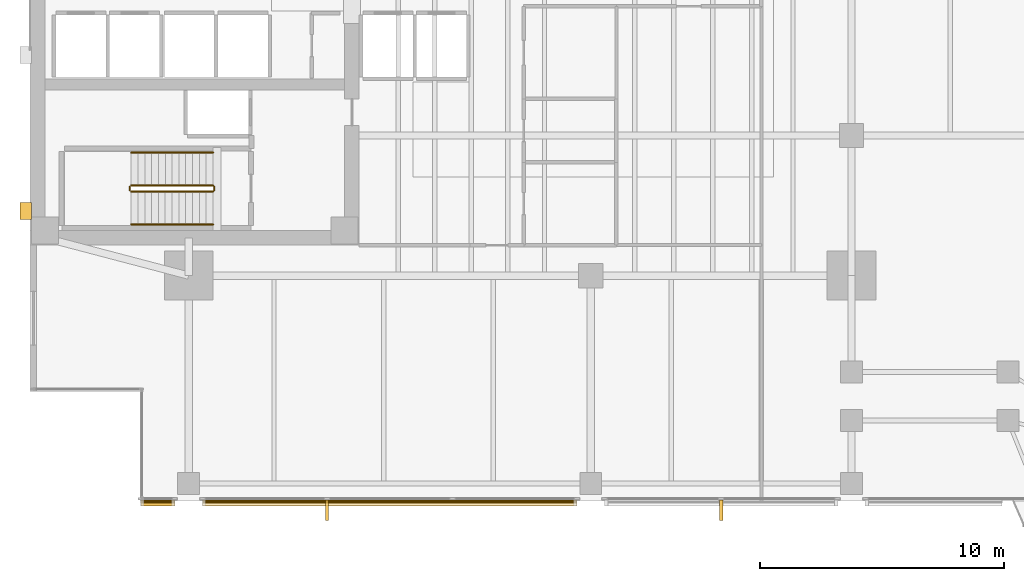
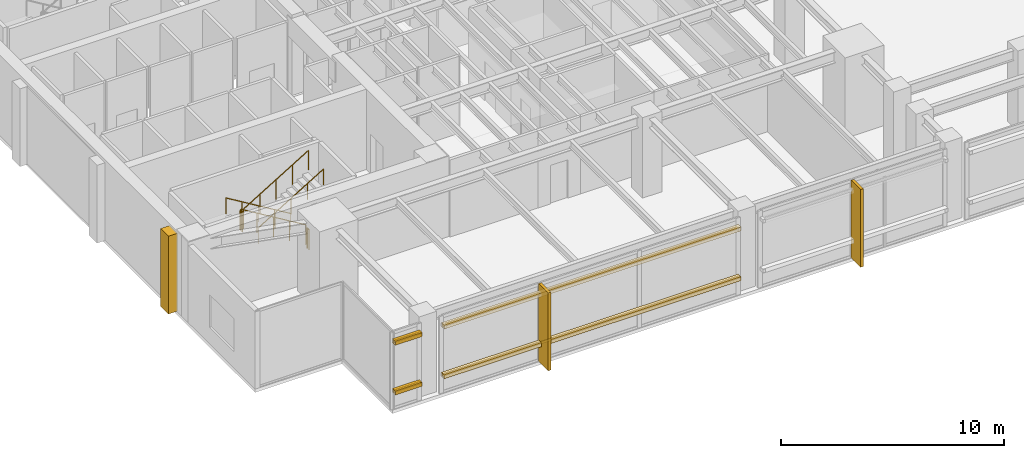
# One storey, part 11 of 14: 7 coverings, 6 railings, 4 shading devices.
"""IFC4 building model written with IfcOpenShell, lengths in metres."""

from ifc_helpers import new_model, si_unit, direction, frame, origin, origin_2d, place, context, subcontext, project, spatial, polyline, rectangle, circle, outline, extrude, material, layer, layer_set, material_profile, profile_set, type_object, element, save


model = new_model("IFC4")

# Units and contexts
model_context = context("Model", 3, precision=1e-05, world=origin(), true_north=direction((0.0, 1.0)))
body_context = subcontext(model_context, "Body", "Model", "MODEL_VIEW")
ifc_project = project(units=[si_unit("LENGTHUNIT", "METRE"), si_unit("AREAUNIT", "SQUARE_METRE"), si_unit("VOLUMEUNIT", "CUBIC_METRE"), si_unit("PLANEANGLEUNIT", "RADIAN"), si_unit("MASSUNIT", "GRAM", prefix="KILO")], contexts=[model_context])

# Site, building, storey
site_placement = place(None, origin())
site = spatial("IfcSite", under=ifc_project, at=site_placement, CompositionType="ELEMENT")
building_placement = place(site_placement, origin())
building = spatial("IfcBuilding", under=site, at=building_placement, Name="Kinhvarn Gate Tower", CompositionType="ELEMENT")
storey_placement = place(building_placement, frame((0.0, 0.0, 97.85009765625)))
storey = spatial("IfcBuildingStorey", under=building, at=storey_placement, Name="L25", CompositionType="ELEMENT", Elevation=97.85009765625)

# Coverings
ifc_material_1 = material(Name="Fired architectural terracotta", Category="masonry")
ifc_layer_1 = layer(ifc_material_1, 0.239990234375)
ifc_layer_set_1 = layer_set([ifc_layer_1], Name="Fired architectural terracotta")
covering_type_1 = type_object("IfcCoveringType", Name="COV-BAG-220", PredefinedType="CLADDING", material=ifc_layer_set_1)
for number, where, name in (
    (1, (0.0, 0.0, 0.93994140625), "Terracotta Horizontal Sunscreen Band TBG-220 (L25)"),
    (2, (0.0, 0.0, 3.659912109375), "Terracotta Horizontal Sunscreen Band TBG-220 (L25)"),
):
    element("IfcCovering", number, at=place(storey_placement, frame(where)), inside=storey, type_object=covering_type_1, Name=name, PredefinedType="CLADDING", context=body_context, shape_type="SweptSolid", body=[
        extrude(outline(polyline([(9.0400390625, 3.5400390625), (10.429931640625, 3.5400390625), (10.429931640625, 3.300048828125), (9.0400390625, 3.300048828125), (9.0400390625, 3.5400390625)])), origin(), (0.0, 0.0, 1.0), 0.219970703125),
    ])
for number, where, name in (
    (3, (0.0, 0.0, 0.93994140625), "Terracotta Horizontal Sunscreen Band TBG-220 (L25)"),
    (4, (0.0, 0.0, 3.659912109375), "Terracotta Horizontal Sunscreen Band TBG-220 (L25)"),
):
    element("IfcCovering", number, at=place(storey_placement, frame(where)), inside=storey, type_object=covering_type_1, Name=name, PredefinedType="CLADDING", context=body_context, shape_type="SweptSolid", body=[
        extrude(outline(polyline([(11.570068359375, 3.5400390625), (26.929931640625, 3.5400390625), (26.929931640625, 3.300048828125), (11.570068359375, 3.300048828125), (11.570068359375, 3.5400390625)])), origin(), (0.0, 0.0, 1.0), 0.219970703125),
    ])
ifc_layer_2 = layer(ifc_material_1, 0.139892578125)
ifc_layer_set_2 = layer_set([ifc_layer_2], Name="Fired architectural terracotta")
covering_type_2 = type_object("IfcCoveringType", Name="COV-FIN-850", PredefinedType="CLADDING", material=ifc_layer_set_2)
covering_1_placement = place(storey_placement, frame((0.0, 0.0, -0.02001953125)))
element("IfcCovering", 5, at=covering_1_placement, inside=storey, type_object=covering_type_2, Name="Vertical Terracotta Expressive Fin TFN-850 (L25)", PredefinedType="CLADDING", context=body_context, shape_type="SweptSolid", body=[
    extrude(outline(polyline([(16.606689453125, 3.550048828125), (16.74658203125, 3.550048828125), (16.74658203125, 2.699951171875), (16.606689453125, 2.699951171875), (16.606689453125, 3.550048828125)])), origin(), (0.0, 0.0, 1.0), 4.260009765625),
])
covering_2_placement = place(storey_placement, frame((0.0, 0.0, -0.02001953125)))
element("IfcCovering", 6, at=covering_2_placement, inside=storey, type_object=covering_type_2, Name="Vertical Terracotta Expressive Fin TFN-850 (L25)", PredefinedType="CLADDING", context=body_context, shape_type="SweptSolid", body=[
    extrude(outline(polyline([(32.780029296875, 3.550048828125), (32.919921875, 3.550048828125), (32.919921875, 2.699951171875), (32.780029296875, 2.699951171875), (32.780029296875, 3.550048828125)])), origin(), (0.0, 0.0, 1.0), 4.260009765625),
])
ifc_material_2 = material(Name="Precast white architectural concrete C40/50", Category="concrete")
ifc_layer_3 = layer(ifc_material_2, 0.47998046875)
ifc_layer_set_3 = layer_set([ifc_layer_3], Name="Precast white architectural concrete C40/50")
covering_type_3 = type_object("IfcCoveringType", Name="COV-RIB-450", PredefinedType="CLADDING", material=ifc_layer_set_3)
covering_3_placement = place(storey_placement, frame((0.0, 0.0, -0.02001953125)))
element("IfcCovering", 7, at=covering_3_placement, inside=storey, type_object=covering_type_3, Name="West Core Sculptural Concrete Relief Rib CRB-450 (L25)", PredefinedType="CLADDING", context=body_context, shape_type="SweptSolid", body=[
    extrude(outline(polyline([(4.080078125, 15.050048828125), (4.56005859375, 15.050048828125), (4.56005859375, 15.75), (4.080078125, 15.75), (4.080078125, 15.050048828125)])), origin(), (0.0, 0.0, 1.0), 4.260009765625),
])

# Railings
ifc_material_3 = material(Name="Steel S355", Category="steel")
railing_type_1 = type_object("IfcRailingType", Name="RL-ST-GRD", PredefinedType="BALUSTRADE", material=ifc_material_3)
railing_1_placement = place(storey_placement, frame((12.0, 16.449951171875, 0.169189453125)))
element("IfcRailing", 8, at=railing_1_placement, inside=storey, type_object=railing_type_1, Name="L25 ST1 stair guard 1", PredefinedType="BALUSTRADE", context=body_context, shape_type="SweptSolid", body=[
    extrude(circle(Radius=0.02392578125, at=origin_2d()), frame((0.0, 0.0, 1.076171875), z_axis=(-0.855836976705, 0.0, 0.517245656632), x_axis=(0.0, -1.0, 0.0)), (0.0, 0.0, 1.0), 3.926025390625),
    extrude(circle(Radius=0.02099609375, at=origin_2d()), origin(), (0.0, 0.0, 1.0), 1.052001953125),
    extrude(circle(Radius=0.02099609375, at=origin_2d()), frame((-0.840087890625, 0.0, 0.5078125)), (0.0, 0.0, 1.0), 1.052001953125),
    extrude(circle(Radius=0.02099609375, at=origin_2d()), frame((-1.68017578125, 0.0, 1.015380859375)), (0.0, 0.0, 1.0), 1.052001953125),
    extrude(circle(Radius=0.02099609375, at=origin_2d()), frame((-2.52001953125, 0.0, 1.52294921875)), (0.0, 0.0, 1.0), 1.052001953125),
    extrude(circle(Radius=0.02099609375, at=origin_2d()), frame((-3.360107421875, 0.0, 2.03076171875)), (0.0, 0.0, 1.0), 1.052001953125),
])
railing_2_placement = place(storey_placement, frame((8.590087890625, 16.39990234375, 2.199951171875)))
element("IfcRailing", 9, at=railing_2_placement, inside=storey, type_object=railing_type_1, Name="L25 ST1 stair guard 2", PredefinedType="BALUSTRADE", context=body_context, shape_type="SweptSolid", body=[
    extrude(circle(Radius=0.02392578125, at=origin_2d()), frame((0.0, 0.0, 1.076171875), z_axis=(0.0, -1.0, 0.0), x_axis=(1.0, 0.0, 0.0)), (0.0, 0.0, 1.0), 0.14990234375),
    extrude(circle(Radius=0.02099609375, at=origin_2d()), origin(), (0.0, 0.0, 1.0), 1.052001953125),
    extrude(circle(Radius=0.02099609375, at=origin_2d()), frame((0.0, -0.14990234375, 0.0)), (0.0, 0.0, 1.0), 1.052001953125),
])
railing_3_placement = place(storey_placement, frame((8.639892578125, 16.199951171875, 2.369140625)))
element("IfcRailing", 10, at=railing_3_placement, inside=storey, type_object=railing_type_1, Name="L25 ST1 stair guard 3", PredefinedType="BALUSTRADE", context=body_context, shape_type="SweptSolid", body=[
    extrude(circle(Radius=0.02392578125, at=origin_2d()), frame((0.0, 0.0, 1.076171875), z_axis=(0.855836976705, 0.0, 0.517245656632), x_axis=(0.0, 1.0, 0.0)), (0.0, 0.0, 1.0), 3.926025390625),
    extrude(circle(Radius=0.02099609375, at=origin_2d()), origin(), (0.0, 0.0, 1.0), 1.052001953125),
    extrude(circle(Radius=0.02099609375, at=origin_2d()), frame((0.840087890625, 0.0, 0.5078125)), (0.0, 0.0, 1.0), 1.052001953125),
    extrude(circle(Radius=0.02099609375, at=origin_2d()), frame((1.68017578125, 0.0, 1.015380859375)), (0.0, 0.0, 1.0), 1.052001953125),
    extrude(circle(Radius=0.02099609375, at=origin_2d()), frame((2.52001953125, 0.0, 1.52294921875)), (0.0, 0.0, 1.0), 1.052001953125),
    extrude(circle(Radius=0.02099609375, at=origin_2d()), frame((3.360107421875, 0.0, 2.03076171875)), (0.0, 0.0, 1.0), 1.052001953125),
])
railing_4_placement = place(storey_placement, frame((12.050048828125, 16.39990234375, 0.0)))
element("IfcRailing", 11, at=railing_4_placement, inside=storey, type_object=railing_type_1, Name="L25 ST1 stair guard 4", PredefinedType="BALUSTRADE", context=body_context, shape_type="SweptSolid", body=[
    extrude(circle(Radius=0.02392578125, at=origin_2d()), frame((0.0, 0.0, 1.076171875), z_axis=(0.0, -1.0, 0.0), x_axis=(1.0, 0.0, 0.0)), (0.0, 0.0, 1.0), 0.14990234375),
    extrude(circle(Radius=0.02099609375, at=origin_2d()), origin(), (0.0, 0.0, 1.0), 1.052001953125),
    extrude(circle(Radius=0.02099609375, at=origin_2d()), frame((0.0, -0.14990234375, 0.0)), (0.0, 0.0, 1.0), 1.052001953125),
])
railing_type_2 = type_object("IfcRailingType", Name="RL-ST-HND", PredefinedType="HANDRAIL", material=ifc_material_3)
railing_5_placement = place(storey_placement, frame((12.0, 17.800048828125, 0.169189453125)))
element("IfcRailing", 12, at=railing_5_placement, inside=storey, type_object=railing_type_2, Name="L25 ST1 stair handrail 1", PredefinedType="HANDRAIL", context=body_context, shape_type="SweptSolid", body=[
    extrude(circle(Radius=0.02392578125, at=origin_2d()), frame((0.0, 0.0, 0.8759765625), z_axis=(-0.855836976705, 0.0, 0.517245656632), x_axis=(0.0, -1.0, 0.0)), (0.0, 0.0, 1.0), 3.926025390625),
    extrude(circle(Radius=0.02099609375, at=origin_2d()), origin(), (0.0, 0.0, 1.0), 0.851806640625),
    extrude(circle(Radius=0.02099609375, at=origin_2d()), frame((-0.840087890625, 0.0, 0.5078125)), (0.0, 0.0, 1.0), 0.851806640625),
    extrude(circle(Radius=0.02099609375, at=origin_2d()), frame((-1.68017578125, 0.0, 1.015380859375)), (0.0, 0.0, 1.0), 0.851806640625),
    extrude(circle(Radius=0.02099609375, at=origin_2d()), frame((-2.52001953125, 0.0, 1.52294921875)), (0.0, 0.0, 1.0), 0.851806640625),
    extrude(circle(Radius=0.02099609375, at=origin_2d()), frame((-3.360107421875, 0.0, 2.03076171875)), (0.0, 0.0, 1.0), 0.851806640625),
])
railing_6_placement = place(storey_placement, frame((8.639892578125, 14.85009765625, 2.369140625)))
element("IfcRailing", 13, at=railing_6_placement, inside=storey, type_object=railing_type_2, Name="L25 ST1 stair handrail 2", PredefinedType="HANDRAIL", context=body_context, shape_type="SweptSolid", body=[
    extrude(circle(Radius=0.02392578125, at=origin_2d()), frame((0.0, 0.0, 0.8759765625), z_axis=(0.855836976705, 0.0, 0.517245656632), x_axis=(0.0, 1.0, 0.0)), (0.0, 0.0, 1.0), 3.926025390625),
    extrude(circle(Radius=0.02099609375, at=origin_2d()), origin(), (0.0, 0.0, 1.0), 0.851806640625),
    extrude(circle(Radius=0.02099609375, at=origin_2d()), frame((0.840087890625, 0.0, 0.5078125)), (0.0, 0.0, 1.0), 0.851806640625),
    extrude(circle(Radius=0.02099609375, at=origin_2d()), frame((1.68017578125, 0.0, 1.015380859375)), (0.0, 0.0, 1.0), 0.851806640625),
    extrude(circle(Radius=0.02099609375, at=origin_2d()), frame((2.52001953125, 0.0, 1.52294921875)), (0.0, 0.0, 1.0), 0.851806640625),
    extrude(circle(Radius=0.02099609375, at=origin_2d()), frame((3.360107421875, 0.0, 2.03076171875)), (0.0, 0.0, 1.0), 0.851806640625),
])

# Shading devices
ifc_material_profile = material_profile(ifc_material_1, rectangle(XDim=0.06005859375, YDim=0.139892578125, at=origin_2d()), Name="TC 60x140")
ifc_profile_set = profile_set([ifc_material_profile], Name="Fired architectural terracotta")
shading_device_type = type_object("IfcShadingDeviceType", Name="SHD-BAG-180", PredefinedType="USERDEFINED", material=ifc_profile_set)
for number, where, z_axis, x_axis, name in (
    (14, (9.0400390625, 3.465087890625, 1.0498046875), (1.0, 0.0, 0.0), (0.0, 1.0, 0.0), "Fired Terracotta Baguette Screen Rod 60x140 mm (L25)"),
    (15, (9.0400390625, 3.465087890625, 3.77001953125), (1.0, 0.0, 0.0), (0.0, 1.0, 0.0), "Fired Terracotta Baguette Screen Rod 60x140 mm (L25)"),
):
    element("IfcShadingDevice", number, at=place(storey_placement, frame(where, z_axis=z_axis, x_axis=x_axis)), inside=storey, type_object=shading_device_type, Name=name, ObjectType="BAGUETTE", PredefinedType="USERDEFINED", context=body_context, shape_type="SweptSolid", body=[
        extrude(rectangle(XDim=0.06005859375, YDim=0.139892578125, at=origin_2d()), origin(), (0.0, 0.0, 1.0), 1.389892578125),
    ])
for number, where, z_axis, x_axis, name in (
    (16, (11.570068359375, 3.465087890625, 1.0498046875), (1.0, 0.0, 0.0), (0.0, 1.0, 0.0), "Fired Terracotta Baguette Screen Rod 60x140 mm (L25)"),
    (17, (11.570068359375, 3.465087890625, 3.77001953125), (1.0, 0.0, 0.0), (0.0, 1.0, 0.0), "Fired Terracotta Baguette Screen Rod 60x140 mm (L25)"),
):
    element("IfcShadingDevice", number, at=place(storey_placement, frame(where, z_axis=z_axis, x_axis=x_axis)), inside=storey, type_object=shading_device_type, Name=name, ObjectType="BAGUETTE", PredefinedType="USERDEFINED", context=body_context, shape_type="SweptSolid", body=[
        extrude(rectangle(XDim=0.06005859375, YDim=0.139892578125, at=origin_2d()), origin(), (0.0, 0.0, 1.0), 15.35986328125),
    ])

save(model, "model.ifc")
